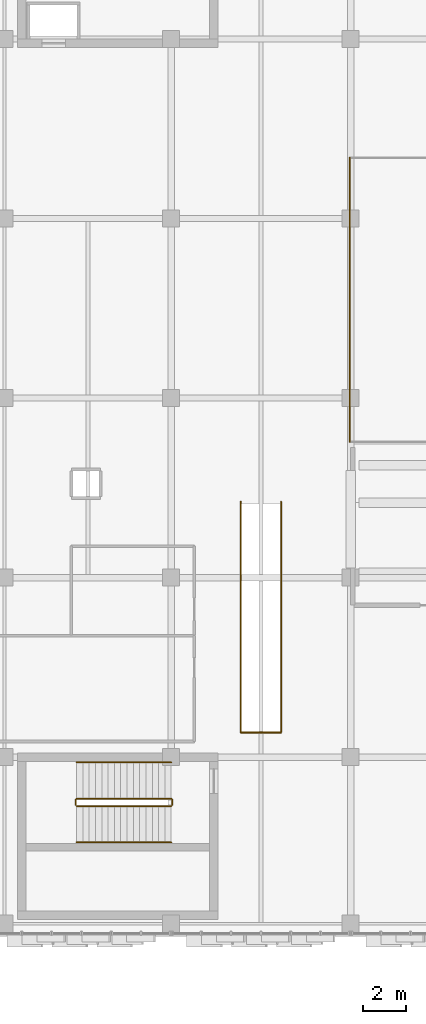
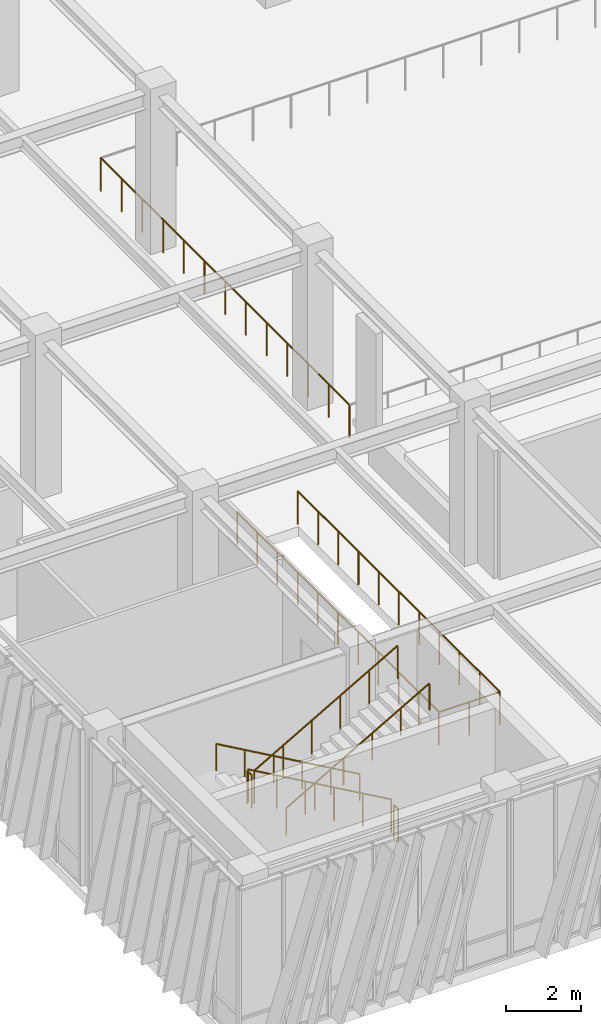
# One storey, part 128 of 139: 10 railings.
"""IFC4 building model written with IfcOpenShell, lengths in metres."""

from ifc_helpers import new_model, si_unit, direction, frame, origin, origin_2d, place, context, subcontext, project, spatial, circle, extrude, material, type_object, element, save


model = new_model("IFC4")

# Units and contexts
model_context = context("Model", 3, precision=1e-05, world=origin(), true_north=direction((0.0, 1.0)))
body_context = subcontext(model_context, "Body", "Model", "MODEL_VIEW")
ifc_project = project(units=[si_unit("LENGTHUNIT", "METRE"), si_unit("AREAUNIT", "SQUARE_METRE"), si_unit("VOLUMEUNIT", "CUBIC_METRE"), si_unit("PLANEANGLEUNIT", "RADIAN"), si_unit("MASSUNIT", "GRAM", prefix="KILO")], contexts=[model_context])

# Site, building, storey
site_placement = place(None, origin())
site = spatial("IfcSite", under=ifc_project, at=site_placement, CompositionType="ELEMENT")
building_placement = place(site_placement, origin())
building = spatial("IfcBuilding", under=site, at=building_placement, Name="Zayran Congress Hotel", CompositionType="ELEMENT")
storey_placement = place(building_placement, frame((0.0, 0.0, 5.39990234375)))
storey = spatial("IfcBuildingStorey", under=building, at=storey_placement, Name="L01", CompositionType="ELEMENT", Elevation=5.39990234375)

# Railings
ifc_material_1 = material(Name="Painted steel balustrade", Category="steel")
railing_type_1 = type_object("IfcRailingType", Name="TP-GRD-INT", PredefinedType="GUARDRAIL", material=ifc_material_1)
railing_1_placement = place(storey_placement, frame((16.800048828125, 74.050048828125, 0.1689453125)))
element("IfcRailing", 1, at=railing_1_placement, inside=storey, type_object=railing_type_1, Name="L01 ST-05 stair guard 1", PredefinedType="GUARDRAIL", context=body_context, shape_type="SweptSolid", body=[
    extrude(circle(Radius=0.02392578125, at=origin_2d()), frame((0.0, 0.0, 1.076171875), z_axis=(-0.868019072493, 0.0, 0.49653085482), x_axis=(0.0, -1.0, 0.0)), (0.0, 0.0, 1.0), 5.097900390625),
    extrude(circle(Radius=0.02099609375, at=origin_2d()), origin(), (0.0, 0.0, 1.0), 1.052001953125),
    extrude(circle(Radius=0.02099609375, at=origin_2d()), frame((-0.885009765625, 0.0, 0.50634765625)), (0.0, 0.0, 1.0), 1.052001953125),
    extrude(circle(Radius=0.02099609375, at=origin_2d()), frame((-1.77001953125, 0.0, 1.012451171875)), (0.0, 0.0, 1.0), 1.052001953125),
    extrude(circle(Radius=0.02099609375, at=origin_2d()), frame((-2.655029296875, 0.0, 1.518798828125)), (0.0, 0.0, 1.0), 1.052001953125),
    extrude(circle(Radius=0.02099609375, at=origin_2d()), frame((-3.5400390625, 0.0, 2.02490234375)), (0.0, 0.0, 1.0), 1.052001953125),
    extrude(circle(Radius=0.02099609375, at=origin_2d()), frame((-4.425048828125, 0.0, 2.53125)), (0.0, 0.0, 1.0), 1.052001953125),
])
railing_2_placement = place(storey_placement, frame((12.324951171875, 74.0, 2.7001953125)))
element("IfcRailing", 2, at=railing_2_placement, inside=storey, type_object=railing_type_1, Name="L01 ST-05 stair guard 2", PredefinedType="GUARDRAIL", context=body_context, shape_type="SweptSolid", body=[
    extrude(circle(Radius=0.02392578125, at=origin_2d()), frame((0.0, 0.0, 1.076171875), z_axis=(0.0, -1.0, 0.0), x_axis=(1.0, 0.0, 0.0)), (0.0, 0.0, 1.0), 0.239990234375),
    extrude(circle(Radius=0.02099609375, at=origin_2d()), origin(), (0.0, 0.0, 1.0), 1.052001953125),
    extrude(circle(Radius=0.02099609375, at=origin_2d()), frame((0.0, -0.239990234375, 0.0)), (0.0, 0.0, 1.0), 1.052001953125),
])
railing_3_placement = place(storey_placement, frame((12.375, 73.7099609375, 2.868896484375)))
element("IfcRailing", 3, at=railing_3_placement, inside=storey, type_object=railing_type_1, Name="L01 ST-05 stair guard 3", PredefinedType="GUARDRAIL", context=body_context, shape_type="SweptSolid", body=[
    extrude(circle(Radius=0.02392578125, at=origin_2d()), frame((0.0, 0.0, 1.076171875), z_axis=(0.868019072493, 0.0, 0.49653085482), x_axis=(0.0, 1.0, 0.0)), (0.0, 0.0, 1.0), 5.097900390625),
    extrude(circle(Radius=0.02099609375, at=origin_2d()), origin(), (0.0, 0.0, 1.0), 1.052001953125),
    extrude(circle(Radius=0.02099609375, at=origin_2d()), frame((0.885009765625, 0.0, 0.50634765625)), (0.0, 0.0, 1.0), 1.052001953125),
    extrude(circle(Radius=0.02099609375, at=origin_2d()), frame((1.77001953125, 0.0, 1.012451171875)), (0.0, 0.0, 1.0), 1.052001953125),
    extrude(circle(Radius=0.02099609375, at=origin_2d()), frame((2.655029296875, 0.0, 1.518798828125)), (0.0, 0.0, 1.0), 1.052001953125),
    extrude(circle(Radius=0.02099609375, at=origin_2d()), frame((3.5400390625, 0.0, 2.02490234375)), (0.0, 0.0, 1.0), 1.052001953125),
    extrude(circle(Radius=0.02099609375, at=origin_2d()), frame((4.425048828125, 0.0, 2.53125)), (0.0, 0.0, 1.0), 1.052001953125),
])
railing_4_placement = place(storey_placement, frame((16.85009765625, 74.0, 0.0)))
element("IfcRailing", 4, at=railing_4_placement, inside=storey, type_object=railing_type_1, Name="L01 ST-05 stair guard 4", PredefinedType="GUARDRAIL", context=body_context, shape_type="SweptSolid", body=[
    extrude(circle(Radius=0.02392578125, at=origin_2d()), frame((0.0, 0.0, 1.076171875), z_axis=(0.0, -1.0, 0.0), x_axis=(1.0, 0.0, 0.0)), (0.0, 0.0, 1.0), 0.239990234375),
    extrude(circle(Radius=0.02099609375, at=origin_2d()), origin(), (0.0, 0.0, 1.0), 1.052001953125),
    extrude(circle(Radius=0.02099609375, at=origin_2d()), frame((0.0, -0.239990234375, 0.0)), (0.0, 0.0, 1.0), 1.052001953125),
])
railing_5_placement = place(storey_placement, frame((20.06005859375, 87.949951171875, 0.0)))
element("IfcRailing", 5, at=railing_5_placement, inside=storey, type_object=railing_type_1, Name="GRD-VOMWELL-01-WL", PredefinedType="GUARDRAIL", context=body_context, shape_type="SweptSolid", body=[
    extrude(circle(Radius=0.02392578125, at=origin_2d()), frame((0.0, 0.0, 1.076171875), z_axis=(0.0, -1.0, 0.0), x_axis=(1.0, 0.0, 0.0)), (0.0, 0.0, 1.0), 10.800048828125),
    extrude(circle(Radius=0.02099609375, at=origin_2d()), origin(), (0.0, 0.0, 1.0), 1.052001953125),
    extrude(circle(Radius=0.02099609375, at=origin_2d()), frame((0.0, -1.080078125, 0.0)), (0.0, 0.0, 1.0), 1.052001953125),
    extrude(circle(Radius=0.02099609375, at=origin_2d()), frame((0.0, -2.159912109375, 0.0)), (0.0, 0.0, 1.0), 1.052001953125),
    extrude(circle(Radius=0.02099609375, at=origin_2d()), frame((0.0, -3.239990234375, 0.0)), (0.0, 0.0, 1.0), 1.052001953125),
    extrude(circle(Radius=0.02099609375, at=origin_2d()), frame((0.0, -4.320068359375, 0.0)), (0.0, 0.0, 1.0), 1.052001953125),
    extrude(circle(Radius=0.02099609375, at=origin_2d()), frame((0.0, -5.39990234375, 0.0)), (0.0, 0.0, 1.0), 1.052001953125),
    extrude(circle(Radius=0.02099609375, at=origin_2d()), frame((0.0, -6.47998046875, 0.0)), (0.0, 0.0, 1.0), 1.052001953125),
    extrude(circle(Radius=0.02099609375, at=origin_2d()), frame((0.0, -7.56005859375, 0.0)), (0.0, 0.0, 1.0), 1.052001953125),
    extrude(circle(Radius=0.02099609375, at=origin_2d()), frame((0.0, -8.64013671875, 0.0)), (0.0, 0.0, 1.0), 1.052001953125),
    extrude(circle(Radius=0.02099609375, at=origin_2d()), frame((0.0, -9.719970703125, 0.0)), (0.0, 0.0, 1.0), 1.052001953125),
    extrude(circle(Radius=0.02099609375, at=origin_2d()), frame((0.0, -10.800048828125, 0.0)), (0.0, 0.0, 1.0), 1.052001953125),
])
railing_6_placement = place(storey_placement, frame((20.06005859375, 77.14990234375, 0.0)))
element("IfcRailing", 6, at=railing_6_placement, inside=storey, type_object=railing_type_1, Name="GRD-VOMWELL-01-WB", PredefinedType="GUARDRAIL", context=body_context, shape_type="SweptSolid", body=[
    extrude(circle(Radius=0.02392578125, at=origin_2d()), frame((0.0, 0.0, 1.076171875), z_axis=(1.0, 0.0, 0.0), x_axis=(0.0, 1.0, 0.0)), (0.0, 0.0, 1.0), 1.8798828125),
    extrude(circle(Radius=0.02099609375, at=origin_2d()), origin(), (0.0, 0.0, 1.0), 1.052001953125),
    extrude(circle(Radius=0.02099609375, at=origin_2d()), frame((0.93994140625, 0.0, 0.0)), (0.0, 0.0, 1.0), 1.052001953125),
    extrude(circle(Radius=0.02099609375, at=origin_2d()), frame((1.8798828125, 0.0, 0.0)), (0.0, 0.0, 1.0), 1.052001953125),
])
railing_7_placement = place(storey_placement, frame((21.93994140625, 77.14990234375, 0.0)))
element("IfcRailing", 7, at=railing_7_placement, inside=storey, type_object=railing_type_1, Name="GRD-VOMWELL-01-WR", PredefinedType="GUARDRAIL", context=body_context, shape_type="SweptSolid", body=[
    extrude(circle(Radius=0.02392578125, at=origin_2d()), frame((0.0, 0.0, 1.076171875), z_axis=(0.0, 1.0, 0.0), x_axis=(-1.0, 0.0, 0.0)), (0.0, 0.0, 1.0), 10.800048828125),
    extrude(circle(Radius=0.02099609375, at=origin_2d()), origin(), (0.0, 0.0, 1.0), 1.052001953125),
    extrude(circle(Radius=0.02099609375, at=origin_2d()), frame((0.0, 1.080078125, 0.0)), (0.0, 0.0, 1.0), 1.052001953125),
    extrude(circle(Radius=0.02099609375, at=origin_2d()), frame((0.0, 2.159912109375, 0.0)), (0.0, 0.0, 1.0), 1.052001953125),
    extrude(circle(Radius=0.02099609375, at=origin_2d()), frame((0.0, 3.239990234375, 0.0)), (0.0, 0.0, 1.0), 1.052001953125),
    extrude(circle(Radius=0.02099609375, at=origin_2d()), frame((0.0, 4.320068359375, 0.0)), (0.0, 0.0, 1.0), 1.052001953125),
    extrude(circle(Radius=0.02099609375, at=origin_2d()), frame((0.0, 5.39990234375, 0.0)), (0.0, 0.0, 1.0), 1.052001953125),
    extrude(circle(Radius=0.02099609375, at=origin_2d()), frame((0.0, 6.47998046875, 0.0)), (0.0, 0.0, 1.0), 1.052001953125),
    extrude(circle(Radius=0.02099609375, at=origin_2d()), frame((0.0, 7.56005859375, 0.0)), (0.0, 0.0, 1.0), 1.052001953125),
    extrude(circle(Radius=0.02099609375, at=origin_2d()), frame((0.0, 8.64013671875, 0.0)), (0.0, 0.0, 1.0), 1.052001953125),
    extrude(circle(Radius=0.02099609375, at=origin_2d()), frame((0.0, 9.719970703125, 0.0)), (0.0, 0.0, 1.0), 1.052001953125),
    extrude(circle(Radius=0.02099609375, at=origin_2d()), frame((0.0, 10.800048828125, 0.0)), (0.0, 0.0, 1.0), 1.052001953125),
])
railing_8_placement = place(storey_placement, frame((25.14990234375, 104.050048828125, 0.0)))
element("IfcRailing", 8, at=railing_8_placement, inside=storey, type_object=railing_type_1, Name="V1 L01 Interior Void Guardrail V1-L01-AUD-W", PredefinedType="GUARDRAIL", context=body_context, shape_type="SweptSolid", body=[
    extrude(circle(Radius=0.02392578125, at=origin_2d()), frame((0.0, 0.0, 1.076171875), z_axis=(0.0, -1.0, 0.0), x_axis=(1.0, 0.0, 0.0)), (0.0, 0.0, 1.0), 13.300048828125),
    extrude(circle(Radius=0.02099609375, at=origin_2d()), origin(), (0.0, 0.0, 1.0), 1.052001953125),
    extrude(circle(Radius=0.02099609375, at=origin_2d()), frame((0.0, -1.1083984375, 0.0)), (0.0, 0.0, 1.0), 1.052001953125),
    extrude(circle(Radius=0.02099609375, at=origin_2d()), frame((0.0, -2.216796875, 0.0)), (0.0, 0.0, 1.0), 1.052001953125),
    extrude(circle(Radius=0.02099609375, at=origin_2d()), frame((0.0, -3.324951171875, 0.0)), (0.0, 0.0, 1.0), 1.052001953125),
    extrude(circle(Radius=0.02099609375, at=origin_2d()), frame((0.0, -4.433349609375, 0.0)), (0.0, 0.0, 1.0), 1.052001953125),
    extrude(circle(Radius=0.02099609375, at=origin_2d()), frame((0.0, -5.541748046875, 0.0)), (0.0, 0.0, 1.0), 1.052001953125),
    extrude(circle(Radius=0.02099609375, at=origin_2d()), frame((0.0, -6.64990234375, 0.0)), (0.0, 0.0, 1.0), 1.052001953125),
    extrude(circle(Radius=0.02099609375, at=origin_2d()), frame((0.0, -7.75830078125, 0.0)), (0.0, 0.0, 1.0), 1.052001953125),
    extrude(circle(Radius=0.02099609375, at=origin_2d()), frame((0.0, -8.86669921875, 0.0)), (0.0, 0.0, 1.0), 1.052001953125),
    extrude(circle(Radius=0.02099609375, at=origin_2d()), frame((0.0, -9.97509765625, 0.0)), (0.0, 0.0, 1.0), 1.052001953125),
    extrude(circle(Radius=0.02099609375, at=origin_2d()), frame((0.0, -11.08349609375, 0.0)), (0.0, 0.0, 1.0), 1.052001953125),
    extrude(circle(Radius=0.02099609375, at=origin_2d()), frame((0.0, -12.191650390625, 0.0)), (0.0, 0.0, 1.0), 1.052001953125),
    extrude(circle(Radius=0.02099609375, at=origin_2d()), frame((0.0, -13.300048828125, 0.0)), (0.0, 0.0, 1.0), 1.052001953125),
])
ifc_material_2 = material(Name="Brushed stainless steel handrail", Category="steel")
railing_type_2 = type_object("IfcRailingType", Name="TP-HND-STR", PredefinedType="HANDRAIL", material=ifc_material_2)
railing_9_placement = place(storey_placement, frame((16.800048828125, 75.75, 0.1689453125)))
element("IfcRailing", 9, at=railing_9_placement, inside=storey, type_object=railing_type_2, Name="L01 ST-05 stair handrail 1", PredefinedType="HANDRAIL", context=body_context, shape_type="SweptSolid", body=[
    extrude(circle(Radius=0.02392578125, at=origin_2d()), frame((0.0, 0.0, 0.8759765625), z_axis=(-0.868019072493, 0.0, 0.49653085482), x_axis=(0.0, -1.0, 0.0)), (0.0, 0.0, 1.0), 5.097900390625),
    extrude(circle(Radius=0.02099609375, at=origin_2d()), origin(), (0.0, 0.0, 1.0), 0.851806640625),
    extrude(circle(Radius=0.02099609375, at=origin_2d()), frame((-0.885009765625, 0.0, 0.50634765625)), (0.0, 0.0, 1.0), 0.851806640625),
    extrude(circle(Radius=0.02099609375, at=origin_2d()), frame((-1.77001953125, 0.0, 1.012451171875)), (0.0, 0.0, 1.0), 0.851806640625),
    extrude(circle(Radius=0.02099609375, at=origin_2d()), frame((-2.655029296875, 0.0, 1.518798828125)), (0.0, 0.0, 1.0), 0.851806640625),
    extrude(circle(Radius=0.02099609375, at=origin_2d()), frame((-3.5400390625, 0.0, 2.02490234375)), (0.0, 0.0, 1.0), 0.851806640625),
    extrude(circle(Radius=0.02099609375, at=origin_2d()), frame((-4.425048828125, 0.0, 2.53125)), (0.0, 0.0, 1.0), 0.851806640625),
])
railing_10_placement = place(storey_placement, frame((12.375, 72.010009765625, 2.868896484375)))
element("IfcRailing", 10, at=railing_10_placement, inside=storey, type_object=railing_type_2, Name="L01 ST-05 stair handrail 2", PredefinedType="HANDRAIL", context=body_context, shape_type="SweptSolid", body=[
    extrude(circle(Radius=0.02392578125, at=origin_2d()), frame((0.0, 0.0, 0.8759765625), z_axis=(0.868019072493, 0.0, 0.49653085482), x_axis=(0.0, 1.0, 0.0)), (0.0, 0.0, 1.0), 5.097900390625),
    extrude(circle(Radius=0.02099609375, at=origin_2d()), origin(), (0.0, 0.0, 1.0), 0.851806640625),
    extrude(circle(Radius=0.02099609375, at=origin_2d()), frame((0.885009765625, 0.0, 0.50634765625)), (0.0, 0.0, 1.0), 0.851806640625),
    extrude(circle(Radius=0.02099609375, at=origin_2d()), frame((1.77001953125, 0.0, 1.012451171875)), (0.0, 0.0, 1.0), 0.851806640625),
    extrude(circle(Radius=0.02099609375, at=origin_2d()), frame((2.655029296875, 0.0, 1.518798828125)), (0.0, 0.0, 1.0), 0.851806640625),
    extrude(circle(Radius=0.02099609375, at=origin_2d()), frame((3.5400390625, 0.0, 2.02490234375)), (0.0, 0.0, 1.0), 0.851806640625),
    extrude(circle(Radius=0.02099609375, at=origin_2d()), frame((4.425048828125, 0.0, 2.53125)), (0.0, 0.0, 1.0), 0.851806640625),
])

save(model, "model.ifc")
